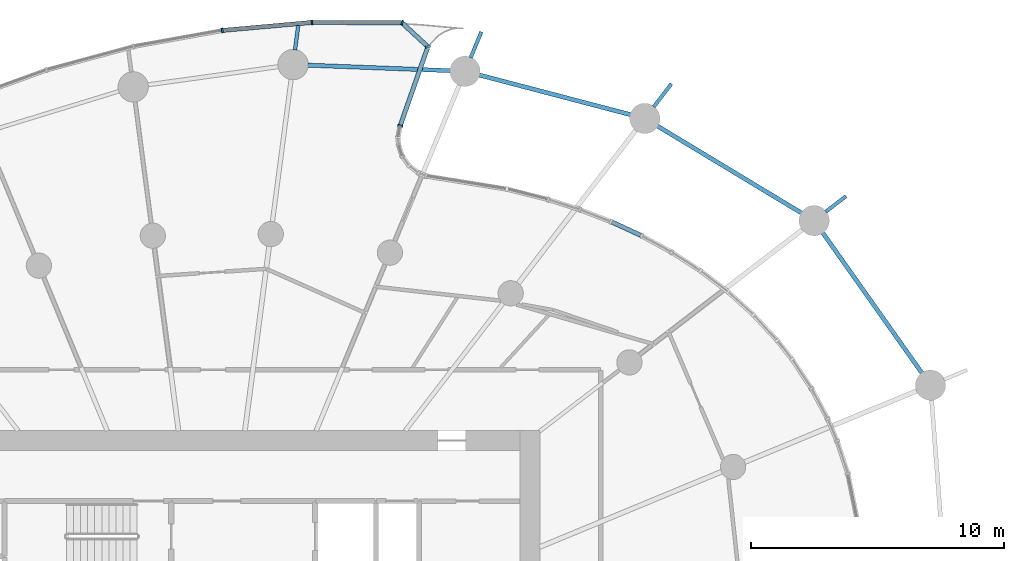
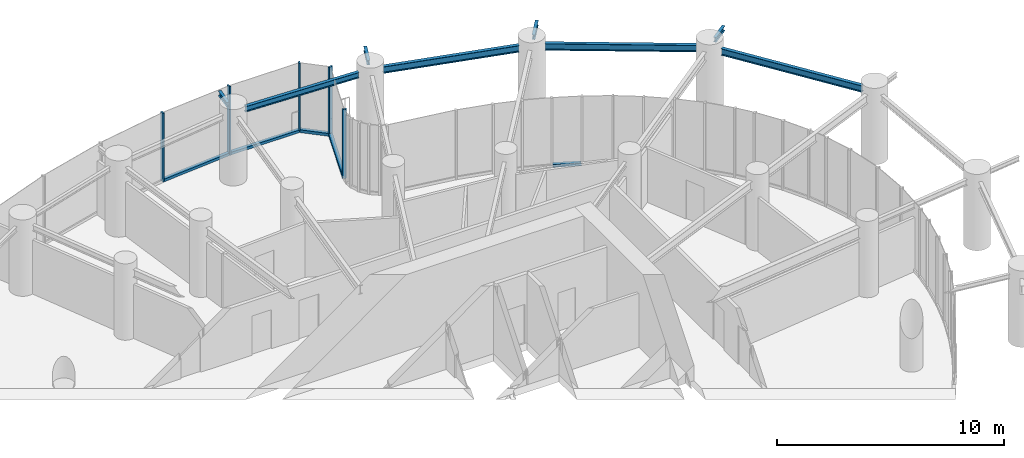
# One storey, part 8 of 21: 10 members, 8 beams, 3 elements without a shape of their own.
"""IFC4 building model written with IfcOpenShell, lengths in metres."""

from ifc_helpers import new_model, si_unit, direction, frame, origin, origin_2d, place, context, subcontext, project, spatial, rectangle, i_section, extrude, source, transform, mapped, material, layer, layer_set, material_profile, profile_set, type_object, element, aggregate, save


model = new_model("IFC4")

# Units and contexts
model_context = context("Model", 3, precision=1e-05, world=origin(), true_north=direction((0.0, 1.0)))
body_context = subcontext(model_context, "Body", "Model", "MODEL_VIEW")
ifc_project = project(units=[si_unit("LENGTHUNIT", "METRE"), si_unit("AREAUNIT", "SQUARE_METRE"), si_unit("VOLUMEUNIT", "CUBIC_METRE"), si_unit("PLANEANGLEUNIT", "RADIAN"), si_unit("MASSUNIT", "GRAM", prefix="KILO")], contexts=[model_context])

# Site, building, storey
site_placement = place(None, origin())
site = spatial("IfcSite", under=ifc_project, at=site_placement, CompositionType="ELEMENT")
building_placement = place(site_placement, origin())
building = spatial("IfcBuilding", under=site, at=building_placement, Name="Spindrift Exchange Tower", CompositionType="ELEMENT")
storey_placement = place(building_placement, frame((0.0, 0.0, 83.89990234375)))
storey = spatial("IfcBuildingStorey", under=building, at=storey_placement, Name="L19", CompositionType="ELEMENT", Elevation=83.89990234375)

# Beams
ifc_material_1 = material(Name="Steel Grade 300", Category="steel")
ifc_material_profile_1 = material_profile(ifc_material_1, i_section(OverallWidth=0.172119140625, OverallDepth=0.35888671875, WebThickness=0.008056640625, FlangeThickness=0.012939453125, FilletRadius=0.013916015625, at=origin_2d()), Name="360UB56.7")
ifc_profile_set_1 = profile_set([ifc_material_profile_1], Name="Steel Grade 300")
beam_type_1 = type_object("IfcBeamType", Name="Edge Beam 360UB56.7 Steel Grade 300", PredefinedType="SPANDREL", material=ifc_profile_set_1)
shared_shape_1 = source(origin(), body_context, "Body", "SweptSolid", [
    extrude(i_section(OverallWidth=0.172119140625, OverallDepth=0.35888671875, WebThickness=0.008056640625, FlangeThickness=0.012939453125, FilletRadius=0.013916015625, at=origin_2d()), origin(), (0.0, 0.0, 1.0), 6.81787109375),
])
beam_1_placement = place(storey_placement, frame((80.12060546875, 60.260009765625, 3.5205078125), z_axis=(-0.577526426198, 0.816371990604, 0.0), x_axis=(-0.816371990604, -0.577526426198, 0.0)))
element("IfcBeam", 1, at=beam_1_placement, inside=storey, type_object=beam_type_1, Name="L19 edge beam E02", PredefinedType="SPANDREL", context=body_context, shape_type="MappedRepresentation", body=[
    mapped(shared_shape_1, transform((0.0, 0.0, 0.0), scale=1.0)),
])
shared_shape_2 = source(origin(), body_context, "Body", "SweptSolid", [
    extrude(i_section(OverallWidth=0.172119140625, OverallDepth=0.35888671875, WebThickness=0.008056640625, FlangeThickness=0.012939453125, FilletRadius=0.013916015625, at=origin_2d()), origin(), (0.0, 0.0, 1.0), 6.668701171875),
])
beam_2_placement = place(storey_placement, frame((75.3515625, 66.59912109375, 3.5205078125), z_axis=(-0.856133207479, 0.516755194508, 0.0), x_axis=(-0.516755194508, -0.856133207479, 0.0)))
element("IfcBeam", 2, at=beam_2_placement, inside=storey, type_object=beam_type_1, Name="L19 edge beam E03", PredefinedType="SPANDREL", context=body_context, shape_type="MappedRepresentation", body=[
    mapped(shared_shape_2, transform((0.0, 0.0, 0.0), scale=1.0)),
])
shared_shape_3 = source(origin(), body_context, "Body", "SweptSolid", [
    extrude(i_section(OverallWidth=0.172119140625, OverallDepth=0.35888671875, WebThickness=0.008056640625, FlangeThickness=0.012939453125, FilletRadius=0.013916015625, at=origin_2d()), origin(), (0.0, 0.0, 1.0), 6.197509765625),
])
beam_3_placement = place(storey_placement, frame((68.584716796875, 70.491943359375, 3.5205078125), z_axis=(-0.967254420813, 0.253808757567, 0.0), x_axis=(-0.253808757567, -0.967254420813, 0.0)))
element("IfcBeam", 3, at=beam_3_placement, inside=storey, type_object=beam_type_1, Name="L19 edge beam E04", PredefinedType="SPANDREL", context=body_context, shape_type="MappedRepresentation", body=[
    mapped(shared_shape_3, transform((0.0, 0.0, 0.0), scale=1.0)),
])
ifc_material_profile_2 = material_profile(ifc_material_1, i_section(OverallWidth=0.1650390625, OverallDepth=0.303955078125, WebThickness=0.006103515625, FlangeThickness=0.01025390625, FilletRadius=0.011474609375, at=origin_2d()), Name="310UB40.4")
ifc_profile_set_2 = profile_set([ifc_material_profile_2], Name="Steel Grade 300")
beam_type_2 = type_object("IfcBeamType", Name="Edge Beam 310UB40.4 Steel Grade 300", PredefinedType="SPANDREL", material=ifc_profile_set_2)
shared_shape_4 = source(origin(), body_context, "Body", "SweptSolid", [
    extrude(i_section(OverallWidth=0.1650390625, OverallDepth=0.303955078125, WebThickness=0.006103515625, FlangeThickness=0.01025390625, FilletRadius=0.011474609375, at=origin_2d()), origin(), (0.0, 0.0, 1.0), 5.65185546875),
])
beam_4_placement = place(storey_placement, frame((61.449462890625, 72.234619140625, 3.548095703125), z_axis=(-0.99924397539, 0.038877726865, 0.0), x_axis=(-0.038877726865, -0.99924397539, 0.0)))
element("IfcBeam", 4, at=beam_4_placement, inside=storey, type_object=beam_type_2, Name="L19 edge beam E05", PredefinedType="SPANDREL", context=body_context, shape_type="MappedRepresentation", body=[
    mapped(shared_shape_4, transform((0.0, 0.0, 0.0), scale=1.0)),
])
ifc_material_profile_3 = material_profile(ifc_material_1, i_section(OverallWidth=0.14599609375, OverallDepth=0.251953125, WebThickness=0.006103515625, FlangeThickness=0.008544921875, FilletRadius=0.011962890625, at=origin_2d()), Name="250UB31.4")
ifc_profile_set_3 = profile_set([ifc_material_profile_3], Name="Steel Grade 300")
beam_type_3 = type_object("IfcBeamType", Name="Cantilever Beam 250UB31.4 Steel Grade 300", PredefinedType="BEAM", material=ifc_profile_set_3)
shared_shape_5 = source(origin(), body_context, "Body", "SweptSolid", [
    extrude(i_section(OverallWidth=0.14599609375, OverallDepth=0.251953125, WebThickness=0.006103515625, FlangeThickness=0.008544921875, FilletRadius=0.011962890625, at=origin_2d()), origin(), (0.0, 0.0, 1.0), 1.012451171875),
])
beam_5_placement = place(storey_placement, frame((76.308349609375, 66.652587890625, 3.57421875), z_axis=(0.79350156931, 0.608568204479, 0.0), x_axis=(-0.608568204479, 0.79350156931, 0.0)))
element("IfcBeam", 5, at=beam_5_placement, inside=storey, type_object=beam_type_3, Name="L19 cantilever beam R03T", PredefinedType="BEAM", context=body_context, shape_type="MappedRepresentation", body=[
    mapped(shared_shape_5, transform((0.0, 0.0, 0.0), scale=1.0)),
])
shared_shape_6 = source(origin(), body_context, "Body", "SweptSolid", [
    extrude(i_section(OverallWidth=0.14599609375, OverallDepth=0.251953125, WebThickness=0.006103515625, FlangeThickness=0.008544921875, FilletRadius=0.011962890625, at=origin_2d()), origin(), (0.0, 0.0, 1.0), 1.150634765625),
])
beam_6_placement = place(storey_placement, frame((69.498779296875, 70.804931640625, 3.57421875), z_axis=(0.608756673514, 0.793356989288, 0.0), x_axis=(-0.793356989288, 0.608756673514, 0.0)))
element("IfcBeam", 6, at=beam_6_placement, inside=storey, type_object=beam_type_3, Name="L19 cantilever beam R04T", PredefinedType="BEAM", context=body_context, shape_type="MappedRepresentation", body=[
    mapped(shared_shape_6, transform((0.0, 0.0, 0.0), scale=1.0)),
])
shared_shape_7 = source(origin(), body_context, "Body", "SweptSolid", [
    extrude(i_section(OverallWidth=0.14599609375, OverallDepth=0.251953125, WebThickness=0.006103515625, FlangeThickness=0.008544921875, FilletRadius=0.011962890625, at=origin_2d()), origin(), (0.0, 0.0, 1.0), 1.110107421875),
])
beam_7_placement = place(storey_placement, frame((62.2509765625, 72.748046875, 3.57421875), z_axis=(0.382662563028, 0.923888176598, 0.0), x_axis=(-0.923888176598, 0.382662563028, 0.0)))
element("IfcBeam", 7, at=beam_7_placement, inside=storey, type_object=beam_type_3, Name="L19 cantilever beam R05T", PredefinedType="BEAM", context=body_context, shape_type="MappedRepresentation", body=[
    mapped(shared_shape_7, transform((0.0, 0.0, 0.0), scale=1.0)),
])
shared_shape_8 = source(origin(), body_context, "Body", "SweptSolid", [
    extrude(i_section(OverallWidth=0.14599609375, OverallDepth=0.251953125, WebThickness=0.006103515625, FlangeThickness=0.008544921875, FilletRadius=0.011962890625, at=origin_2d()), origin(), (0.0, 0.0, 1.0), 0.97802734375),
])
beam_8_placement = place(storey_placement, frame((55.298095703125, 73.0517578125, 3.57421875), z_axis=(0.130544907794, 0.991442397242, 0.0), x_axis=(-0.991442397242, 0.130544907794, 0.0)))
element("IfcBeam", 8, at=beam_8_placement, inside=storey, type_object=beam_type_3, Name="L19 cantilever beam R06T", PredefinedType="BEAM", context=body_context, shape_type="MappedRepresentation", body=[
    mapped(shared_shape_8, transform((0.0, 0.0, 0.0), scale=1.0)),
])

# Curtain wall, members
ifc_material_2 = material(Name="Fritted laminated glass with bronze frame", Category="glass")
ifc_layer_1 = layer(ifc_material_2, 0.18994140625)
ifc_layer_set_1 = layer_set([ifc_layer_1], Name="ZONE 2 BRONZE FRITTED WALL")
curtain_wall_type_1 = type_object("IfcCurtainWallType", Name="ZONE 2 BRONZE FRITTED WALL", PredefinedType="NOTDEFINED", material=ifc_layer_set_1)
curtain_wall_1_placement = place(storey_placement, origin())
curtain_wall_1 = element("IfcCurtainWall", 9, at=curtain_wall_1_placement, inside=storey, type_object=curtain_wall_type_1, Name="L19 Zone 2 Bronze Fritted Wall run 1", PredefinedType="NOTDEFINED")
ifc_material_3 = material(Name="Bronze anodised aluminium", Category="aluminium")
ifc_material_profile_4 = material_profile(ifc_material_3, rectangle(XDim=0.169921875, YDim=0.139892578125, at=origin_2d()), Name="ZONE 2 BRONZE FRITTED WALL TRANSOM 170X140")
ifc_profile_set_4 = profile_set([ifc_material_profile_4], Name="Bronze anodised aluminium")
member_type_1 = type_object("IfcMemberType", Name="ZONE 2 BRONZE FRITTED WALL TRANSOM 170X140", PredefinedType="USERDEFINED", material=ifc_profile_set_4)
shared_shape_9 = source(origin(), body_context, "Body", "SweptSolid", [
    extrude(rectangle(XDim=0.169921875, YDim=0.139892578125, at=origin_2d()), origin(), (0.0, 0.0, 1.0), 3.491455078125),
])
member_1_placement = place(storey_placement, frame((59.498779296875, 74.12841796875, 0.070068359375), z_axis=(-0.999988360675, 0.004824781266, 0.0), x_axis=(-0.004824781266, -0.999988360675, 0.0)))
member_1 = element("IfcMember", 10, at=member_1_placement, type_object=member_type_1, Name="L19 transom CW-2.1", ObjectType="TRANSOM", PredefinedType="USERDEFINED", context=body_context, shape_type="MappedRepresentation", body=[
    mapped(shared_shape_9, transform((0.0, 0.0, 0.0), scale=1.0)),
])
member_2_placement = place(storey_placement, frame((55.9326171875, 74.14208984375, 0.070068359375), z_axis=(-0.99607401097, -0.088524373316, 0.0), x_axis=(0.088524373316, -0.99607401097, 0.0)))
member_2 = element("IfcMember", 11, at=member_2_placement, type_object=member_type_1, Name="L19 transom CW-2.2", ObjectType="TRANSOM", PredefinedType="USERDEFINED", context=body_context, shape_type="MappedRepresentation", body=[
    mapped(shared_shape_9, transform((0.0, 0.0, 0.0), scale=1.0)),
])

# Curtain wall, member
ifc_layer_2 = layer(ifc_material_2, 0.199951171875)
ifc_layer_set_2 = layer_set([ifc_layer_2], Name="SKY GARDEN BRONZE GLAZED WALL")
curtain_wall_type_2 = type_object("IfcCurtainWallType", Name="SKY GARDEN BRONZE GLAZED WALL", PredefinedType="NOTDEFINED", material=ifc_layer_set_2)
curtain_wall_2_placement = place(storey_placement, origin())
curtain_wall_2 = element("IfcCurtainWall", 12, at=curtain_wall_2_placement, inside=storey, type_object=curtain_wall_type_2, Name="L19 Sky Garden Bronze Glazed Wall run 11", PredefinedType="NOTDEFINED")
ifc_material_profile_5 = material_profile(ifc_material_3, rectangle(XDim=0.179931640625, YDim=0.14990234375, at=origin_2d()), Name="SKY GARDEN BRONZE GLAZED WALL TRANSOM 180X150")
ifc_profile_set_5 = profile_set([ifc_material_profile_5], Name="Bronze anodised aluminium")
member_type_2 = type_object("IfcMemberType", Name="SKY GARDEN BRONZE GLAZED WALL TRANSOM 180X150", PredefinedType="USERDEFINED", material=ifc_profile_set_5)
shared_shape_10 = source(origin(), body_context, "Body", "SweptSolid", [
    extrude(rectangle(XDim=0.179931640625, YDim=0.14990234375, at=origin_2d()), origin(), (0.0, 0.0, 1.0), 1.25244140625),
])
member_3_placement = place(storey_placement, frame((68.9814453125, 65.7216796875, 0.0751953125), z_axis=(-0.90820456238, 0.418526549781, 0.0), x_axis=(-0.418526549781, -0.90820456238, 0.0)))
member_3 = element("IfcMember", 13, at=member_3_placement, type_object=member_type_2, Name="L19 transom CW-G.64", ObjectType="TRANSOM", PredefinedType="USERDEFINED", context=body_context, shape_type="MappedRepresentation", body=[
    mapped(shared_shape_10, transform((0.0, 0.0, 0.0), scale=1.0)),
])
aggregate(curtain_wall_2, [member_3])

curtain_wall_3_placement = place(storey_placement, origin())
curtain_wall_3 = element("IfcCurtainWall", 14, at=curtain_wall_3_placement, inside=storey, type_object=curtain_wall_type_2, Name="L19 Sky Garden Bronze Glazed Wall run 13", PredefinedType="NOTDEFINED")
shared_shape_11 = source(origin(), body_context, "Body", "SweptSolid", [
    extrude(rectangle(XDim=0.179931640625, YDim=0.14990234375, at=origin_2d()), origin(), (0.0, 0.0, 1.0), 3.22998046875),
])
member_4_placement = place(storey_placement, frame((59.47705078125, 70.093994140625, 0.0751953125), z_axis=(0.330905883202, 0.943663762398, 0.0), x_axis=(-0.943663762398, 0.330905883202, 0.0)))
member_4 = element("IfcMember", 15, at=member_4_placement, type_object=member_type_2, Name="L19 transom CW-G.75", ObjectType="TRANSOM", PredefinedType="USERDEFINED", context=body_context, shape_type="MappedRepresentation", body=[
    mapped(shared_shape_11, transform((0.0, 0.0, 0.0), scale=1.0)),
])

# Member
ifc_material_profile_6 = material_profile(ifc_material_3, rectangle(XDim=0.074951171875, YDim=0.18994140625, at=origin_2d()), Name="ZONE 2 BRONZE FRITTED WALL MULLION 75X190")
ifc_profile_set_6 = profile_set([ifc_material_profile_6], Name="Bronze anodised aluminium")
member_type_3 = type_object("IfcMemberType", Name="ZONE 2 BRONZE FRITTED WALL MULLION 75X190", PredefinedType="MULLION", material=ifc_profile_set_6)
shared_shape_12 = source(origin(), body_context, "Body", "SweptSolid", [
    extrude(rectangle(XDim=0.074951171875, YDim=0.18994140625, at=origin_2d()), origin(), (0.0, 0.0, 1.0), 3.7001953125),
])
member_5_placement = place(storey_placement, frame((59.536376953125, 74.128173828125, 0.0), z_axis=(0.0, 0.0, 1.0), x_axis=(-0.930362921565, 0.366639924418, 0.0)))
member_5 = element("IfcMember", 16, at=member_5_placement, type_object=member_type_3, Name="L19 mullion CW-2.1", PredefinedType="MULLION", context=body_context, shape_type="MappedRepresentation", body=[
    mapped(shared_shape_12, transform((0.0, 0.0, 0.0), scale=1.0)),
])

member_6_placement = place(storey_placement, frame((55.969970703125, 74.1455078125, 0.0), z_axis=(0.0, 0.0, 1.0), x_axis=(-0.999121499394, -0.041907391343, 0.0)))
member_6 = element("IfcMember", 17, at=member_6_placement, type_object=member_type_3, Name="L19 mullion CW-2.2", PredefinedType="MULLION", context=body_context, shape_type="MappedRepresentation", body=[
    mapped(shared_shape_12, transform((0.0, 0.0, 0.0), scale=1.0)),
])

member_7_placement = place(storey_placement, frame((52.41748046875, 73.82958984375, 0.0), z_axis=(0.0, 0.0, 1.0), x_axis=(-0.991141721154, -0.132808465798, 0.0)))
member_7 = element("IfcMember", 18, at=member_7_placement, type_object=member_type_3, Name="L19 mullion CW-2.3", PredefinedType="MULLION", context=body_context, shape_type="MappedRepresentation", body=[
    mapped(shared_shape_12, transform((0.0, 0.0, 0.0), scale=1.0)),
])

aggregate(curtain_wall_1, [member_5, member_1, member_6, member_2, member_7])

ifc_material_profile_7 = material_profile(ifc_material_3, rectangle(XDim=0.0849609375, YDim=0.199951171875, at=origin_2d()), Name="SKY GARDEN BRONZE GLAZED WALL MULLION 85X200")
ifc_profile_set_7 = profile_set([ifc_material_profile_7], Name="Bronze anodised aluminium")
member_type_4 = type_object("IfcMemberType", Name="SKY GARDEN BRONZE GLAZED WALL MULLION 85X200", PredefinedType="MULLION", material=ifc_profile_set_7)
shared_shape_13 = source(origin(), body_context, "Body", "SweptSolid", [
    extrude(rectangle(XDim=0.0849609375, YDim=0.199951171875, at=origin_2d()), origin(), (0.0, 0.0, 1.0), 3.7001953125),
])
member_8_placement = place(storey_placement, frame((59.463134765625, 70.053955078125, 0.0), z_axis=(0.0, 0.0, 1.0), x_axis=(0.255274095256, 0.966868727538, 0.0)))
member_8 = element("IfcMember", 19, at=member_8_placement, type_object=member_type_4, Name="L19 mullion CW-G.75", PredefinedType="MULLION", context=body_context, shape_type="MappedRepresentation", body=[
    mapped(shared_shape_13, transform((0.0, 0.0, 0.0), scale=1.0)),
])

member_9_placement = place(storey_placement, frame((60.559814453125, 73.182373046875, 0.0), z_axis=(0.0, 0.0, 1.0), x_axis=(-0.241404097613, 0.970424681083, 0.0)))
member_9 = element("IfcMember", 20, at=member_9_placement, type_object=member_type_4, Name="L19 mullion CW-G.76", PredefinedType="MULLION", context=body_context, shape_type="MappedRepresentation", body=[
    mapped(shared_shape_13, transform((0.0, 0.0, 0.0), scale=1.0)),
])

shared_shape_14 = source(origin(), body_context, "Body", "SweptSolid", [
    extrude(rectangle(XDim=0.179931640625, YDim=0.14990234375, at=origin_2d()), origin(), (0.0, 0.0, 1.0), 1.308837890625),
])
member_10_placement = place(storey_placement, frame((60.52880859375, 73.211181640625, 0.0751953125), z_axis=(-0.734445739454, 0.678667411769, 0.0), x_axis=(-0.678667411769, -0.734445739454, 0.0)))
member_10 = element("IfcMember", 21, at=member_10_placement, type_object=member_type_2, Name="L19 transom CW-G.76", ObjectType="TRANSOM", PredefinedType="USERDEFINED", context=body_context, shape_type="MappedRepresentation", body=[
    mapped(shared_shape_14, transform((0.0, 0.0, 0.0), scale=1.0)),
])

aggregate(curtain_wall_3, [member_8, member_4, member_9, member_10])

save(model, "model.ifc")
